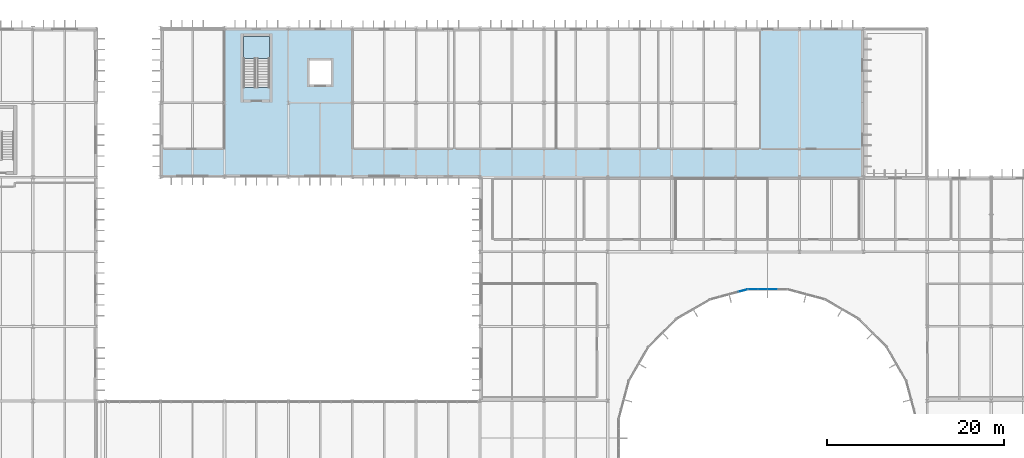
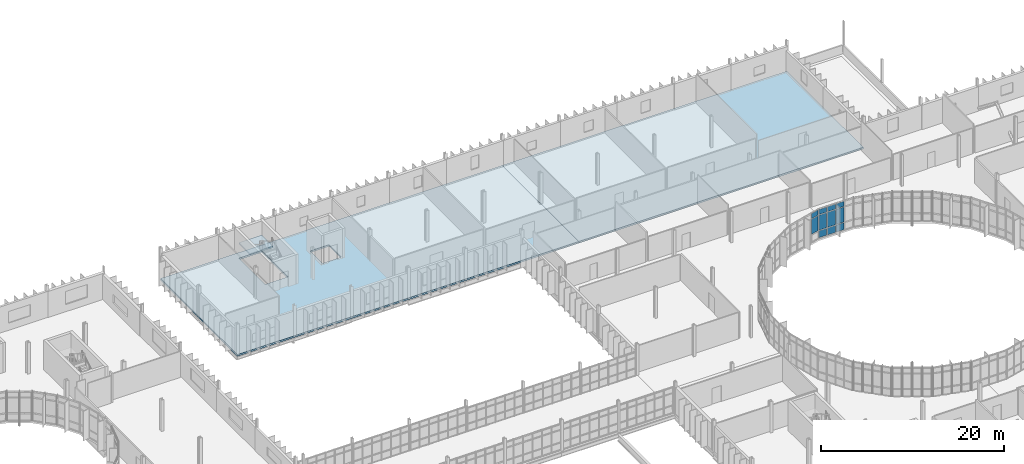
# One storey, part 78 of 119: 11 plates, 3 slabs, 3 elements without a shape of their own.
"""IFC4 building model written with IfcOpenShell, lengths in metres."""

from ifc_helpers import new_model, si_unit, direction, frame, origin, origin_2d, place, context, subcontext, project, spatial, polyline, rectangle, outline, extrude, material, layer, layer_set, type_object, element, aggregate, save


model = new_model("IFC4")

# Units and contexts
model_context = context("Model", 3, precision=1e-05, world=origin(), true_north=direction((0.0, 1.0)))
body_context = subcontext(model_context, "Body", "Model", "MODEL_VIEW")
ifc_project = project(units=[si_unit("LENGTHUNIT", "METRE"), si_unit("AREAUNIT", "SQUARE_METRE"), si_unit("VOLUMEUNIT", "CUBIC_METRE"), si_unit("PLANEANGLEUNIT", "RADIAN"), si_unit("MASSUNIT", "GRAM", prefix="KILO")], contexts=[model_context])

# Site, building, storey
site_placement = place(None, origin())
site = spatial("IfcSite", under=ifc_project, at=site_placement, CompositionType="ELEMENT")
building_placement = place(site_placement, origin())
building = spatial("IfcBuilding", under=site, at=building_placement, Name="Qelthora Terrace Specialist Clinic", CompositionType="ELEMENT")
storey_placement = place(building_placement, frame((0.0, 0.0, 4.800048828125)))
storey = spatial("IfcBuildingStorey", under=building, at=storey_placement, Name="L01", CompositionType="ELEMENT", Elevation=4.800048828125)

# Curtain wall, plates
ifc_material_1 = material(Name="Aluminium anodized bronze", Category="aluminium")
curtain_wall_type = type_object("IfcCurtainWallType", Name="CW-CRTE-UPP", PredefinedType="NOTDEFINED", material=ifc_material_1)
curtain_wall_1_placement = place(storey_placement, origin())
curtain_wall_1 = element("IfcCurtainWall", 1, at=curtain_wall_1_placement, inside=storey, type_object=curtain_wall_type, Name="Curtain wall CW-CE-L01-06", PredefinedType="NOTDEFINED")
ifc_material_2 = material(Name="Low-E triple-silver insulating glass", Category="glass")
ifc_layer_1 = layer(ifc_material_2, 0.035888671875)
ifc_layer_set_1 = layer_set([ifc_layer_1], Name="Low-E triple-silver insulating glass")
plate_type = type_object("IfcPlateType", Name="CWP-IGU-36", PredefinedType="CURTAIN_PANEL", material=ifc_layer_set_1)
plate_1_placement = place(storey_placement, frame((126.548095703125, 79.7763671875, 0.0849609375), z_axis=(0.0, 0.0, 1.0), x_axis=(-1.0, 0.0, 0.0)))
plate_1 = element("IfcPlate", 2, at=plate_1_placement, type_object=plate_type, Name="CW-CE-L01-06 glazed panel 4", PredefinedType="CURTAIN_PANEL", context=body_context, shape_type="SweptSolid", body=[
    extrude(rectangle(XDim=0.996337890625, YDim=0.035888671875, at=origin_2d()), origin(), (0.0, 0.0, 1.0), 0.919921875),
])
plate_2_placement = place(storey_placement, frame((126.548095703125, 79.7763671875, 1.094970703125), z_axis=(0.0, 0.0, 1.0), x_axis=(-1.0, 0.0, 0.0)))
plate_2 = element("IfcPlate", 3, at=plate_2_placement, type_object=plate_type, Name="CW-CE-L01-06 glazed panel 5", PredefinedType="CURTAIN_PANEL", context=body_context, shape_type="SweptSolid", body=[
    extrude(rectangle(XDim=0.996337890625, YDim=0.035888671875, at=origin_2d()), origin(), (0.0, 0.0, 1.0), 2.0048828125),
])
plate_3_placement = place(storey_placement, frame((126.548095703125, 79.7763671875, 3.18994140625), z_axis=(0.0, 0.0, 1.0), x_axis=(-1.0, 0.0, 0.0)))
plate_3 = element("IfcPlate", 4, at=plate_3_placement, type_object=plate_type, Name="CW-CE-L01-06 glazed panel 6", PredefinedType="CURTAIN_PANEL", context=body_context, shape_type="SweptSolid", body=[
    extrude(rectangle(XDim=0.996337890625, YDim=0.035888671875, at=origin_2d()), origin(), (0.0, 0.0, 1.0), 0.669921875),
])
plate_4_placement = place(storey_placement, frame((125.451904296875, 79.7763671875, 0.0849609375), z_axis=(0.0, 0.0, 1.0), x_axis=(-1.0, 0.0, 0.0)))
plate_4 = element("IfcPlate", 5, at=plate_4_placement, type_object=plate_type, Name="CW-CE-L01-06 glazed panel 7", PredefinedType="CURTAIN_PANEL", context=body_context, shape_type="SweptSolid", body=[
    extrude(rectangle(XDim=0.996337890625, YDim=0.035888671875, at=origin_2d()), origin(), (0.0, 0.0, 1.0), 0.919921875),
])
plate_5_placement = place(storey_placement, frame((125.451904296875, 79.7763671875, 1.094970703125), z_axis=(0.0, 0.0, 1.0), x_axis=(-1.0, 0.0, 0.0)))
plate_5 = element("IfcPlate", 6, at=plate_5_placement, type_object=plate_type, Name="CW-CE-L01-06 glazed panel 8", PredefinedType="CURTAIN_PANEL", context=body_context, shape_type="SweptSolid", body=[
    extrude(rectangle(XDim=0.996337890625, YDim=0.035888671875, at=origin_2d()), origin(), (0.0, 0.0, 1.0), 2.0048828125),
])
plate_6_placement = place(storey_placement, frame((125.451904296875, 79.7763671875, 3.18994140625), z_axis=(0.0, 0.0, 1.0), x_axis=(-1.0, 0.0, 0.0)))
plate_6 = element("IfcPlate", 7, at=plate_6_placement, type_object=plate_type, Name="CW-CE-L01-06 glazed panel 9", PredefinedType="CURTAIN_PANEL", context=body_context, shape_type="SweptSolid", body=[
    extrude(rectangle(XDim=0.996337890625, YDim=0.035888671875, at=origin_2d()), origin(), (0.0, 0.0, 1.0), 0.669921875),
])
plate_7_placement = place(storey_placement, frame((124.35546875, 79.7763671875, 0.0849609375), z_axis=(0.0, 0.0, 1.0), x_axis=(-1.0, 0.0, 0.0)))
plate_7 = element("IfcPlate", 8, at=plate_7_placement, type_object=plate_type, Name="CW-CE-L01-06 glazed panel 10", PredefinedType="CURTAIN_PANEL", context=body_context, shape_type="SweptSolid", body=[
    extrude(rectangle(XDim=0.996337890625, YDim=0.035888671875, at=origin_2d()), origin(), (0.0, 0.0, 1.0), 0.919921875),
])
plate_8_placement = place(storey_placement, frame((124.35546875, 79.7763671875, 1.094970703125), z_axis=(0.0, 0.0, 1.0), x_axis=(-1.0, 0.0, 0.0)))
plate_8 = element("IfcPlate", 9, at=plate_8_placement, type_object=plate_type, Name="CW-CE-L01-06 glazed panel 11", PredefinedType="CURTAIN_PANEL", context=body_context, shape_type="SweptSolid", body=[
    extrude(rectangle(XDim=0.996337890625, YDim=0.035888671875, at=origin_2d()), origin(), (0.0, 0.0, 1.0), 2.0048828125),
])
plate_9_placement = place(storey_placement, frame((124.35546875, 79.7763671875, 3.18994140625), z_axis=(0.0, 0.0, 1.0), x_axis=(-1.0, 0.0, 0.0)))
plate_9 = element("IfcPlate", 10, at=plate_9_placement, type_object=plate_type, Name="CW-CE-L01-06 glazed panel 12", PredefinedType="CURTAIN_PANEL", context=body_context, shape_type="SweptSolid", body=[
    extrude(rectangle(XDim=0.996337890625, YDim=0.035888671875, at=origin_2d()), origin(), (0.0, 0.0, 1.0), 0.669921875),
])
aggregate(curtain_wall_1, [plate_1, plate_2, plate_3, plate_4, plate_5, plate_6, plate_7, plate_8, plate_9])

curtain_wall_2_placement = place(storey_placement, origin())
curtain_wall_2 = element("IfcCurtainWall", 11, at=curtain_wall_2_placement, inside=storey, type_object=curtain_wall_type, Name="Curtain wall CW-CE-L01-07", PredefinedType="NOTDEFINED")
plate_10_placement = place(storey_placement, frame((123.24658203125, 79.63037109375, 1.094970703125), z_axis=(0.0, 0.0, 1.0), x_axis=(-0.965925826289, -0.258819045103, 0.0)))
plate_10 = element("IfcPlate", 12, at=plate_10_placement, type_object=plate_type, Name="CW-CE-L01-07 glazed panel 2", PredefinedType="CURTAIN_PANEL", context=body_context, shape_type="SweptSolid", body=[
    extrude(rectangle(XDim=0.996337890625, YDim=0.035888671875, at=origin_2d()), origin(), (0.0, 0.0, 1.0), 2.0048828125),
])
plate_11_placement = place(storey_placement, frame((123.24658203125, 79.63037109375, 3.18994140625), z_axis=(0.0, 0.0, 1.0), x_axis=(-0.965925826289, -0.258819045103, 0.0)))
plate_11 = element("IfcPlate", 13, at=plate_11_placement, type_object=plate_type, Name="CW-CE-L01-07 glazed panel 3", PredefinedType="CURTAIN_PANEL", context=body_context, shape_type="SweptSolid", body=[
    extrude(rectangle(XDim=0.996337890625, YDim=0.035888671875, at=origin_2d()), origin(), (0.0, 0.0, 1.0), 0.669921875),
])
aggregate(curtain_wall_2, [plate_10, plate_11])

# Slabs
ifc_material_3 = material(Name="Concrete C30/37", Category="concrete")
ifc_layer_2 = layer(ifc_material_3, 0.22998046875)
ifc_layer_set_2 = layer_set([ifc_layer_2], Name="Concrete C30/37")
slab_type_1 = type_object("IfcSlabType", Name="SLB-LAB-230-C30", PredefinedType="FLOOR", material=ifc_layer_set_2)
slab_1_placement = place(storey_placement, frame((0.0, 0.0, -0.22998046875)))
element("IfcSlab", 14, at=slab_1_placement, inside=storey, type_object=slab_type_1, Name="L01 V6 slab SLB-L01-V6A", PredefinedType="FLOOR", context=body_context, shape_type="SweptSolid", body=[
    extrude(outline(polyline([(57.60009765625, 109.199951171875), (100.800048828125, 109.199951171875), (100.800048828125, 92.39990234375), (57.60009765625, 92.39990234375), (57.60009765625, 109.199951171875)]), holes=[polyline([(76.800048828125, 102.85009765625), (76.800048828125, 105.550048828125), (74.39990234375, 105.550048828125), (74.39990234375, 102.85009765625), (76.800048828125, 102.85009765625)]), polyline([(69.85009765625, 102.50048828125), (69.85009765625, 108.25), (66.949951171875, 108.25), (66.949951171875, 102.50048828125), (69.85009765625, 102.50048828125)])]), origin(), (0.0, 0.0, 1.0), 0.22998046875),
])
slab_2_placement = place(storey_placement, frame((0.0, 0.0, -0.22998046875)))
element("IfcSlab", 15, at=slab_2_placement, inside=storey, type_object=slab_type_1, Name="L01 V6 slab SLB-L01-V6B", PredefinedType="FLOOR", context=body_context, shape_type="SweptSolid", body=[
    extrude(outline(polyline([(100.800048828125, 109.199951171875), (136.800048828125, 109.199951171875), (136.800048828125, 92.39990234375), (100.800048828125, 92.39990234375), (100.800048828125, 109.199951171875)])), origin(), (0.0, 0.0, 1.0), 0.22998046875),
])

# Stair, slab
stair_type = type_object("IfcStairType", Name="STR-175-300", PredefinedType="HALF_TURN_STAIR", material=ifc_material_3)
stair_placement = place(storey_placement, origin())
stair = element("IfcStair", 16, at=stair_placement, inside=storey, type_object=stair_type, Name="L01 Enclosed Exit Stair ST-07", PredefinedType="HALF_TURN_STAIR")
ifc_layer_3 = layer(ifc_material_3, 0.199951171875)
ifc_layer_set_3 = layer_set([ifc_layer_3], Name="Concrete C30/37")
slab_type_2 = type_object("IfcSlabType", Name="SLB-LAND-200-C30", PredefinedType="LANDING", material=ifc_layer_set_3)
slab_3_placement = place(storey_placement, frame((0.0, 0.0, 1.89990234375)))
slab_3 = element("IfcSlab", 17, at=slab_3_placement, type_object=slab_type_2, Name="ST-07 landing 1", PredefinedType="LANDING", context=body_context, shape_type="SweptSolid", body=[
    extrude(outline(polyline([(69.85009765625, 105.800048828125), (69.85009765625, 108.25), (66.949951171875, 108.25), (66.949951171875, 105.800048828125), (69.85009765625, 105.800048828125)])), origin(), (0.0, 0.0, 1.0), 0.199951171875),
])
aggregate(stair, [slab_3])

save(model, "model.ifc")
